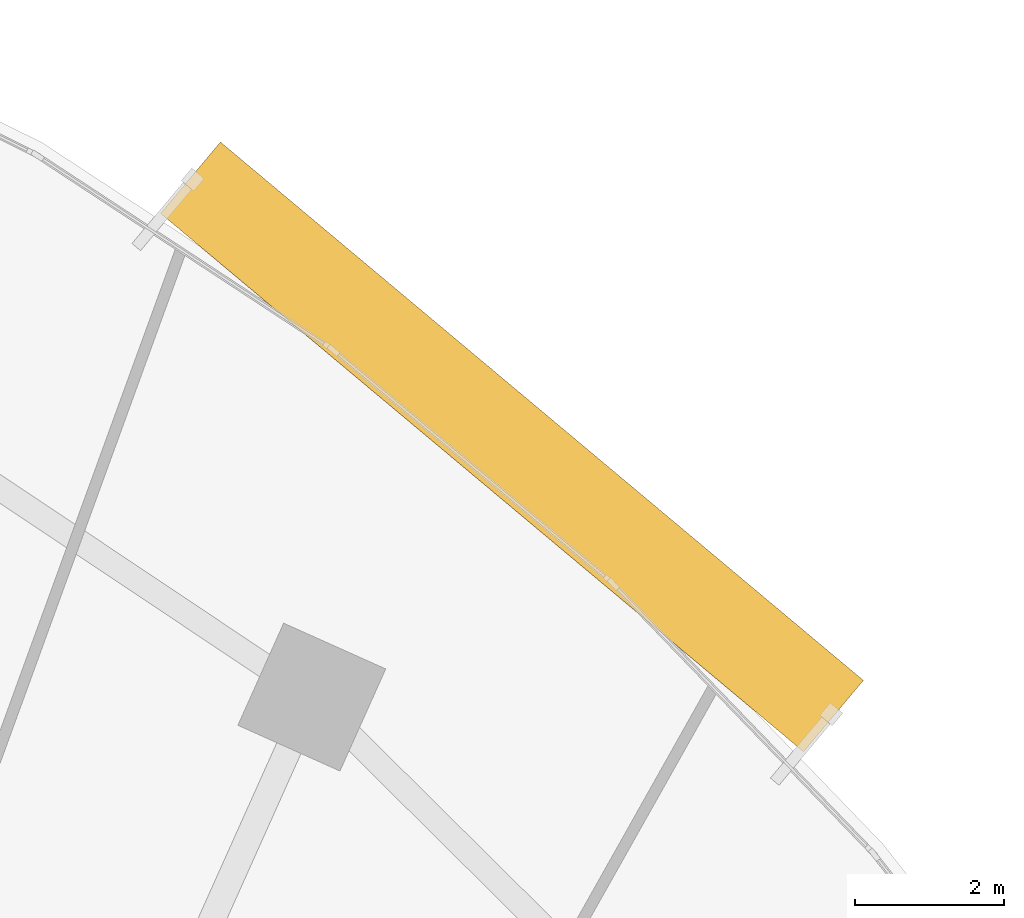
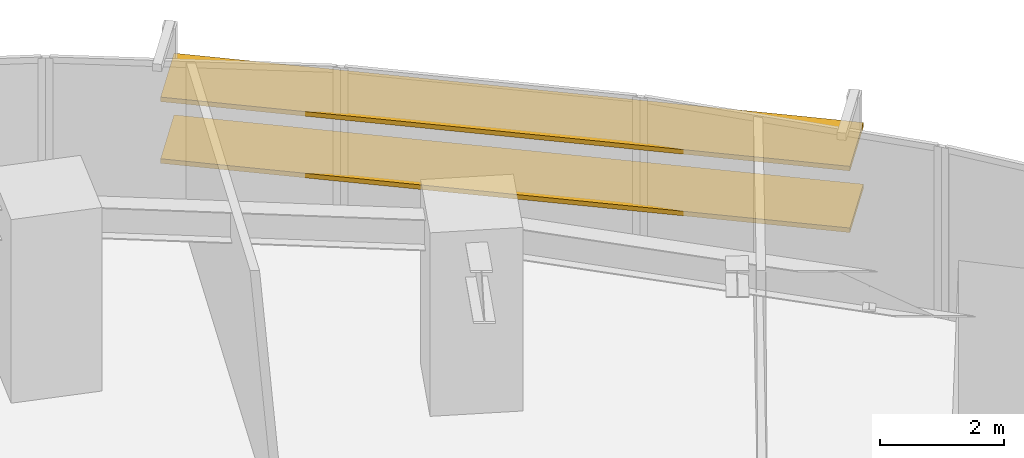
# One storey, part 17 of 17: 2 shading devices.
"""IFC4 building model written with IfcOpenShell, lengths in metres."""

import ifcopenshell
import ifcopenshell.guid

model = None  # the IFC model being written
_history = None  # IfcOwnerHistory: only IFC2X3 demands one
_inside = {}  # id of a spatial element -> (the spatial element, [elements in it])
_under = {}  # id of a project, library or spatial element -> (it, [spatial elements below it])
_declared = {}  # id of a project -> (the project, [libraries it declares])
_typed = {}  # id of a type object -> (the type object, [elements of that type])
_made_of = {}  # id of a material, layer set ... -> (it, [elements and type objects made of it])


def new_model(schema):
    """Start an empty IFC model of exactly this schema.

    Asked for "IFC4X3", IfcOpenShell would pick the latest addendum, in which some entities
    have other attributes; the version numbers below select the first issue.
    IFC2X3 requires an IfcOwnerHistory on every rooted entity: one is made here for all.
    """
    global model, _history
    if schema == "IFC4X3":
        model = ifcopenshell.file(schema_version=(4, 3, 0, 0))
    else:
        model = ifcopenshell.file(schema=schema)
    _inside.clear()
    _under.clear()
    _declared.clear()
    _typed.clear()
    _made_of.clear()
    _history = None
    if model.schema == "IFC2X3":
        org = make("IfcOrganization", Name="unknown")
        user = make(
            "IfcPersonAndOrganization",
            ThePerson=make("IfcPerson", FamilyName="unknown"),
            TheOrganization=org,
        )
        app = make(
            "IfcApplication",
            ApplicationDeveloper=org,
            Version="unknown",
            ApplicationFullName="unknown",
            ApplicationIdentifier="unknown",
        )
        _history = make(
            "IfcOwnerHistory",
            OwningUser=user,
            OwningApplication=app,
            ChangeAction="ADDED",
            CreationDate=0,
        )
    return model


def make(cls, **values):
    """One entity of the class cls with the attributes given. An attribute that is None is left unset."""
    return model.create_entity(
        cls, **{name: value for name, value in values.items() if value is not None}
    )


def rooted(cls, **values):
    """An entity with a GlobalId (a new one), such as an element, a storey or a relation."""
    return make(cls, GlobalId=ifcopenshell.guid.new(), OwnerHistory=_history, **values)


def si_unit(unit_type, name, prefix=None):
    """IfcSIUnit, for example si_unit("LENGTHUNIT", "METRE", prefix="MILLI")."""
    return make("IfcSIUnit", UnitType=unit_type, Prefix=prefix, Name=name)


def assignment(units):
    """IfcUnitAssignment: the units of a project."""
    return None if units is None else make("IfcUnitAssignment", Units=units)


def point(xyz):
    """IfcCartesianPoint."""
    return None if xyz is None else make("IfcCartesianPoint", Coordinates=xyz)


def direction(xyz):
    """IfcDirection."""
    return None if xyz is None else make("IfcDirection", DirectionRatios=xyz)


def frame(location, z_axis=None, x_axis=None):
    """IfcAxis2Placement3D, a coordinate frame: its origin and axes. An axis left out is left unset."""
    return make(
        "IfcAxis2Placement3D",
        Location=point(location),
        Axis=direction(z_axis),
        RefDirection=direction(x_axis),
    )


def frame_2d(location, x_axis=None):
    """IfcAxis2Placement2D, a coordinate frame in the plane: its origin and x axis."""
    return make(
        "IfcAxis2Placement2D", Location=point(location), RefDirection=direction(x_axis)
    )


def origin():
    """The frame at (0, 0, 0) with its axes left unset."""
    return frame((0.0, 0.0, 0.0))


def origin_2d():
    """The frame at (0, 0) in the plane with its x axis left unset."""
    return frame_2d((0.0, 0.0))


def place(relative_to, where):
    """IfcLocalPlacement: puts the frame where relative to a parent placement (None: the world)."""
    return make(
        "IfcLocalPlacement", PlacementRelTo=relative_to, RelativePlacement=where
    )


def context(
    kind, dimensions, precision=None, world=None, true_north=None, identifier=None
):
    """IfcGeometricRepresentationContext, for example the 3D "Model" context."""
    return make(
        "IfcGeometricRepresentationContext",
        ContextIdentifier=identifier,
        ContextType=kind,
        CoordinateSpaceDimension=dimensions,
        Precision=precision,
        WorldCoordinateSystem=world,
        TrueNorth=true_north,
    )


def subcontext(parent, identifier, kind, view, scale=None):
    """IfcGeometricRepresentationSubContext, for example "Body" below "Model"."""
    return make(
        "IfcGeometricRepresentationSubContext",
        ContextIdentifier=identifier,
        ContextType=kind,
        ParentContext=parent,
        TargetScale=scale,
        TargetView=view,
    )


def project(units=None, contexts=None):
    """IfcProject with its units and contexts."""
    return rooted(
        "IfcProject",
        Name="project",
        RepresentationContexts=contexts,
        UnitsInContext=assignment(units),
    )


def spatial(cls, under=None, at=None, **own):
    """A site, building, storey or space (cls), placed at a placement, below another one or the project."""
    s = rooted(cls, ObjectPlacement=at, **own)
    if under is not None:
        _under.setdefault(under.id(), (under, []))[1].append(s)
    return s


def profile(cls, at=None, kind="AREA", **sizes):
    """A parametric profile (cls). Its sizes go by their IFC names, for example OverallWidth=200.0."""
    return make(cls, ProfileType=kind, Position=at, **sizes)


def rectangle(**sizes):
    """IfcRectangleProfileDef."""
    return profile("IfcRectangleProfileDef", **sizes)


def extrude(swept, where, along, depth):
    """IfcExtrudedAreaSolid: the profile swept, set in the frame where, extruded along a direction by depth."""
    return make(
        "IfcExtrudedAreaSolid",
        SweptArea=swept,
        Position=where,
        ExtrudedDirection=direction(along),
        Depth=depth,
    )


def shape(context_of_items, identifier, shape_type, items):
    """IfcShapeRepresentation: the items that make up one representation, for example the "Body"."""
    return make(
        "IfcShapeRepresentation",
        ContextOfItems=context_of_items,
        RepresentationIdentifier=identifier,
        RepresentationType=shape_type,
        Items=items,
    )


def source(mapping_origin, context_of_items, identifier, shape_type, items):
    """IfcRepresentationMap: a shape defined once, which mapped items show again and again."""
    return make(
        "IfcRepresentationMap",
        MappingOrigin=mapping_origin,
        MappedRepresentation=shape(context_of_items, identifier, shape_type, items),
    )


def transform(
    local_origin,
    x_axis=None,
    y_axis=None,
    z_axis=None,
    scale=None,
    scale2=None,
    scale3=None,
    uniform=True,
):
    """IfcCartesianTransformationOperator3D, or its non-uniform kind. x_axis, y_axis, z_axis: its Axis1, 2, 3."""
    if uniform:
        return make(
            "IfcCartesianTransformationOperator3D",
            Axis1=direction(x_axis),
            Axis2=direction(y_axis),
            LocalOrigin=point(local_origin),
            Scale=scale,
            Axis3=direction(z_axis),
        )
    return make(
        "IfcCartesianTransformationOperator3DnonUniform",
        Axis1=direction(x_axis),
        Axis2=direction(y_axis),
        LocalOrigin=point(local_origin),
        Scale=scale,
        Axis3=direction(z_axis),
        Scale2=scale2,
        Scale3=scale3,
    )


def mapped(mapping_source, mapping_target):
    """IfcMappedItem: shows the shape of a source again, moved by a transform."""
    return make(
        "IfcMappedItem", MappingSource=mapping_source, MappingTarget=mapping_target
    )


def material(Name=None, Category=None):
    """IfcMaterial."""
    return make("IfcMaterial", Name=Name, Category=Category)


def material_profile(
    of_material, cross_section, Name=None, Category=None, Priority=None
):
    """IfcMaterialProfile: a cross section and its material."""
    return make(
        "IfcMaterialProfile",
        Name=Name,
        Material=of_material,
        Profile=cross_section,
        Priority=Priority,
        Category=Category,
    )


def profile_set(profiles, Name=None, composite=None):
    """IfcMaterialProfileSet."""
    return make(
        "IfcMaterialProfileSet",
        Name=Name,
        MaterialProfiles=profiles,
        CompositeProfile=composite,
    )


def made_of(thing, what):
    """Note that an element or type object is made of a material, layer set ...; save() writes the relation."""
    if what is not None:
        _made_of.setdefault(what.id(), (what, []))[1].append(thing)
    return thing


def type_object(cls, material=None, **own):
    """A type object (cls), such as IfcWallType, which elements share."""
    return made_of(rooted(cls, **own), material)


def element(
    cls,
    number,
    at=None,
    inside=None,
    cuts=None,
    type_object=None,
    material=None,
    context=None,
    identifier="Body",
    shape_type=None,
    held_by="IfcProductDefinitionShape",
    body=None,
    shapes=None,
    **own,
):
    """One element of the class cls, such as IfcWall. Its Tag is "e" and its number.

    at: its placement. inside: the storey or other place that contains it. cuts: it is an
    opening in that element (IfcRelVoidsElement). A single representation is given by context,
    identifier, shape_type and body (its items); several are given by shapes. held_by: the class
    of the entity that holds the representations. save() writes the other relations.
    """
    e = rooted(cls, Tag="e%d" % number, ObjectPlacement=at, **own)
    if body is not None:
        shapes = [shape(context, identifier, shape_type, body)]
    if shapes is not None:
        e.Representation = make(held_by, Representations=shapes)
    if inside is not None:
        _inside.setdefault(inside.id(), (inside, []))[1].append(e)
    if cuts is not None:
        rooted(
            "IfcRelVoidsElement", RelatingBuildingElement=cuts, RelatedOpeningElement=e
        )
    if type_object is not None:
        _typed.setdefault(type_object.id(), (type_object, []))[1].append(e)
    return made_of(e, material)


def aggregate(whole, parts):
    """IfcRelAggregates: a whole, such as a stair, and the parts it consists of."""
    return rooted("IfcRelAggregates", RelatingObject=whole, RelatedObjects=parts)


def save(model, path):
    """Write the relations noted so far, then the file.

    IfcRelAggregates (storeys below a building ...), IfcRelContainedInSpatialStructure (elements
    in a storey), IfcRelDefinesByType, IfcRelAssociatesMaterial and IfcRelDeclares: one each for
    every whole, place, type object, material and project.
    """
    for whole, parts in _under.values():
        aggregate(whole, parts)
    for where, things in _inside.values():
        rooted(
            "IfcRelContainedInSpatialStructure",
            RelatedElements=things,
            RelatingStructure=where,
        )
    for kind, things in _typed.values():
        rooted("IfcRelDefinesByType", RelatedObjects=things, RelatingType=kind)
    for what, things in _made_of.values():
        rooted("IfcRelAssociatesMaterial", RelatedObjects=things, RelatingMaterial=what)
    for by, libraries in _declared.values():
        rooted("IfcRelDeclares", RelatingContext=by, RelatedDefinitions=libraries)
    model.write(path)


model = new_model("IFC4")

# Units and contexts
model_context = context("Model", 3, precision=1e-05, world=origin(), true_north=direction((0.0, 1.0)))
body_context = subcontext(model_context, "Body", "Model", "MODEL_VIEW")
ifc_project = project(units=[si_unit("LENGTHUNIT", "METRE"), si_unit("AREAUNIT", "SQUARE_METRE"), si_unit("VOLUMEUNIT", "CUBIC_METRE"), si_unit("PLANEANGLEUNIT", "RADIAN"), si_unit("MASSUNIT", "GRAM", prefix="KILO")], contexts=[model_context])

# Site, building, storey
site_placement = place(None, origin())
site = spatial("IfcSite", under=ifc_project, at=site_placement, CompositionType="ELEMENT")
building_placement = place(site_placement, origin())
building = spatial("IfcBuilding", under=site, at=building_placement, Name="Breltana Convention Tower", CompositionType="ELEMENT")
storey_placement = place(building_placement, frame((0.0, 0.0, 46.199951171875)))
storey = spatial("IfcBuildingStorey", under=building, at=storey_placement, Name="L09", CompositionType="ELEMENT", Elevation=46.199951171875)

# Shading devices
ifc_material = material(Name="Limestone Warm Buff Honed", Category="masonry")
ifc_material_profile = material_profile(ifc_material, rectangle(XDim=1.25, YDim=0.090087890625, at=origin_2d()), Name="STN-LVR-1250X90")
ifc_profile_set = profile_set([ifc_material_profile], Name="Limestone Warm Buff Honed")
shading_device_type = type_object("IfcShadingDeviceType", Name="SHD-OUTER-SKIN-LIMESTONE-1250", PredefinedType="JALOUSIE", material=ifc_profile_set)
shared_shape = source(origin(), body_context, "Body", "SweptSolid", [
    extrude(rectangle(XDim=1.25, YDim=0.090087890625, at=origin_2d()), origin(), (0.0, 0.0, 1.0), 11.246337890625),
])
for number, where, z_axis, x_axis, name in (
    (1, (67.28369140625, 75.598388671875, 1.209716796875), (0.766719155588, -0.641982660556, 0.0), (0.641982660556, 0.766719155588, 0.0), "L09 outer skin warm limestone louvre 2.1"),
    (2, (67.28369140625, 75.598388671875, 2.419189453125), (0.766719155588, -0.641982660556, 0.0), (0.641982660556, 0.766719155588, 0.0), "L09 outer skin warm limestone louvre 2.2"),
):
    element("IfcShadingDevice", number, at=place(storey_placement, frame(where, z_axis=z_axis, x_axis=x_axis)), inside=storey, type_object=shading_device_type, Name=name, PredefinedType="JALOUSIE", context=body_context, shape_type="MappedRepresentation", body=[
        mapped(shared_shape, transform((0.0, 0.0, 0.0), scale=1.0)),
    ])

save(model, "model.ifc")
